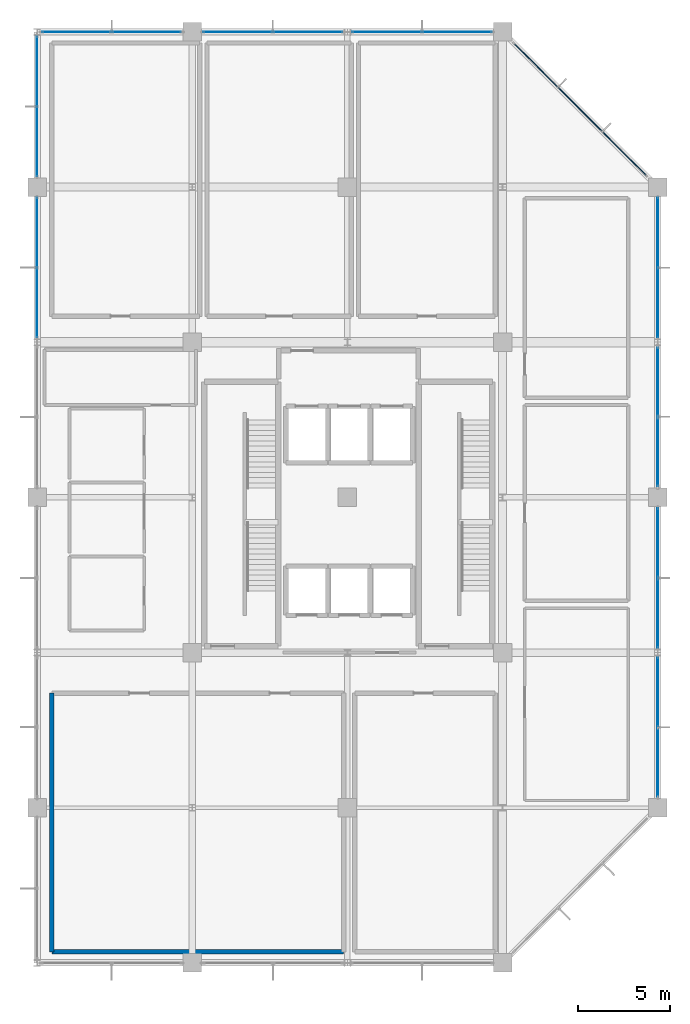
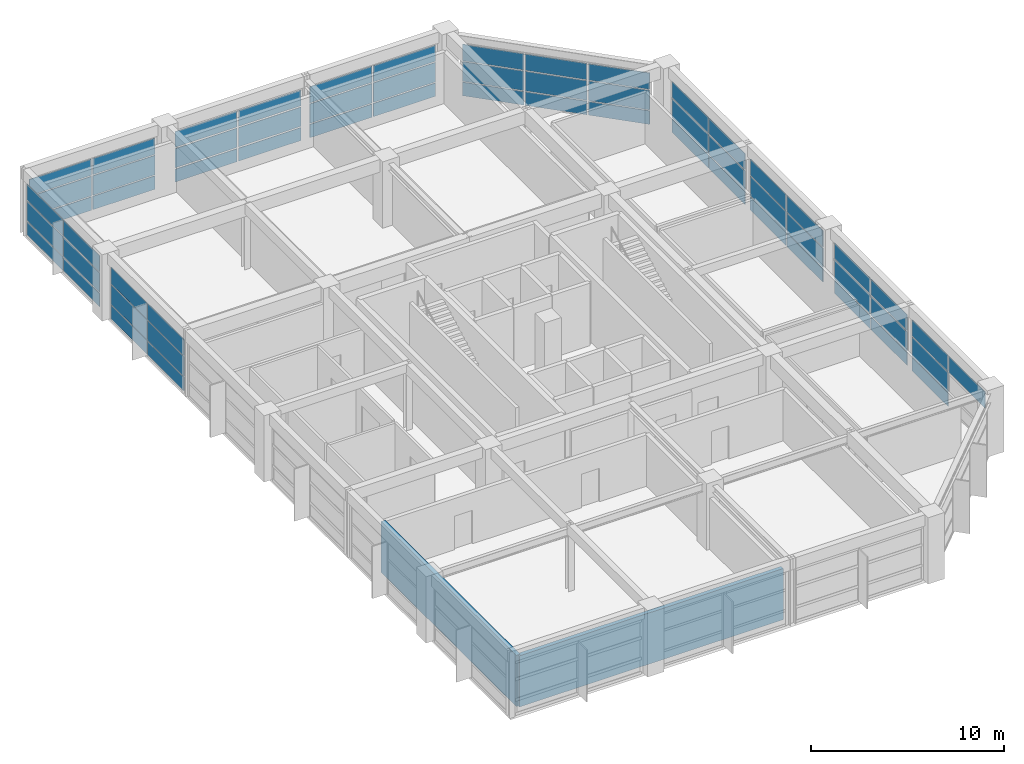
# One storey, part 12 of 16: 61 plates, 2 walls, 10 elements without a shape of their own.
"""IFC4 building model written with IfcOpenShell, lengths in metres."""

from ifc_helpers import new_model, si_unit, direction, frame, frame_2d, origin, origin_2d, place, context, subcontext, project, spatial, rectangle, extrude, material, layer, layer_set, type_object, element, aggregate, save


model = new_model("IFC4")

# Units and contexts
model_context = context("Model", 3, precision=1e-05, world=origin(), true_north=direction((0.0, 1.0)))
body_context = subcontext(model_context, "Body", "Model", "MODEL_VIEW")
ifc_project = project(units=[si_unit("LENGTHUNIT", "METRE"), si_unit("AREAUNIT", "SQUARE_METRE"), si_unit("VOLUMEUNIT", "CUBIC_METRE"), si_unit("PLANEANGLEUNIT", "RADIAN"), si_unit("MASSUNIT", "GRAM", prefix="KILO")], contexts=[model_context])

# Site, building, storey
site_placement = place(None, origin())
site = spatial("IfcSite", under=ifc_project, at=site_placement, CompositionType="ELEMENT")
building_placement = place(site_placement, origin())
building = spatial("IfcBuilding", under=site, at=building_placement, Name="Xuanlan Plaza Opera House", CompositionType="ELEMENT")
storey_placement = place(building_placement, frame((0.0, 0.0, 48.89990234375)))
storey = spatial("IfcBuildingStorey", under=building, at=storey_placement, Name="L11", CompositionType="ELEMENT", Elevation=48.89990234375)

# Curtain wall, plates
ifc_material_1 = material(Name="Anodised Aluminium 6063-T6 and Low-E Glass", Category="aluminium")
curtain_wall_type_1 = type_object("IfcCurtainWallType", Name="ENV-CW-CW-03", PredefinedType="USERDEFINED", material=ifc_material_1)
curtain_wall_1_placement = place(storey_placement, origin())
curtain_wall_1 = element("IfcCurtainWall", 1, at=curtain_wall_1_placement, inside=storey, type_object=curtain_wall_type_1, Name="Unitised Curtain Wall L11-006", ObjectType="UNITISED CURTAIN WALL", PredefinedType="USERDEFINED")
ifc_material_2 = material(Name="Laminated Acoustic Double Glazing", Category="glass")
ifc_layer_1 = layer(ifc_material_2, 0.028076171875)
ifc_layer_set_1 = layer_set([ifc_layer_1], Name="Laminated Acoustic Double Glazing")
plate_type_1 = type_object("IfcPlateType", Name="ENV-CWP-01", PredefinedType="CURTAIN_PANEL", material=ifc_layer_set_1)
plate_1_placement = place(storey_placement, frame((159.60009765625, 52.5361328125, 0.090087890625), z_axis=(0.0, 0.0, 1.0), x_axis=(0.0, 1.0, 0.0)))
plate_1 = element("IfcPlate", 2, at=plate_1_placement, type_object=plate_type_1, Name="CW-03 panel 1.1", PredefinedType="CURTAIN_PANEL", context=body_context, shape_type="SweptSolid", body=[
    extrude(rectangle(XDim=3.722412109375, YDim=0.028076171875, at=origin_2d()), origin(), (0.0, 0.0, 1.0), 0.81494140625),
])
plate_2_placement = place(storey_placement, frame((159.60009765625, 52.5361328125, 0.9951171875), z_axis=(0.0, 0.0, 1.0), x_axis=(0.0, 1.0, 0.0)))
plate_2 = element("IfcPlate", 3, at=plate_2_placement, type_object=plate_type_1, Name="CW-03 panel 1.2", PredefinedType="CURTAIN_PANEL", context=body_context, shape_type="SweptSolid", body=[
    extrude(rectangle(XDim=3.722412109375, YDim=0.028076171875, at=origin_2d()), origin(), (0.0, 0.0, 1.0), 1.2099609375),
])
plate_3_placement = place(storey_placement, frame((159.60009765625, 52.5361328125, 2.294921875), z_axis=(0.0, 0.0, 1.0), x_axis=(0.0, 1.0, 0.0)))
plate_3 = element("IfcPlate", 4, at=plate_3_placement, type_object=plate_type_1, Name="CW-03 panel 1.3", PredefinedType="CURTAIN_PANEL", context=body_context, shape_type="SweptSolid", body=[
    extrude(rectangle(XDim=3.722412109375, YDim=0.028076171875, at=origin_2d()), origin(), (0.0, 0.0, 1.0), 0.9951171875),
])
plate_4_placement = place(storey_placement, frame((159.60009765625, 56.3388671875, 0.090087890625), z_axis=(0.0, 0.0, 1.0), x_axis=(0.0, 1.0, 0.0)))
plate_4 = element("IfcPlate", 5, at=plate_4_placement, type_object=plate_type_1, Name="CW-03 panel 2.1", PredefinedType="CURTAIN_PANEL", context=body_context, shape_type="SweptSolid", body=[
    extrude(rectangle(XDim=3.722412109375, YDim=0.028076171875, at=origin_2d()), origin(), (0.0, 0.0, 1.0), 0.81494140625),
])
plate_5_placement = place(storey_placement, frame((159.60009765625, 56.3388671875, 0.9951171875), z_axis=(0.0, 0.0, 1.0), x_axis=(0.0, 1.0, 0.0)))
plate_5 = element("IfcPlate", 6, at=plate_5_placement, type_object=plate_type_1, Name="CW-03 panel 2.2", PredefinedType="CURTAIN_PANEL", context=body_context, shape_type="SweptSolid", body=[
    extrude(rectangle(XDim=3.722412109375, YDim=0.028076171875, at=origin_2d()), origin(), (0.0, 0.0, 1.0), 1.2099609375),
])
plate_6_placement = place(storey_placement, frame((159.60009765625, 56.3388671875, 2.294921875), z_axis=(0.0, 0.0, 1.0), x_axis=(0.0, 1.0, 0.0)))
plate_6 = element("IfcPlate", 7, at=plate_6_placement, type_object=plate_type_1, Name="CW-03 panel 2.3", PredefinedType="CURTAIN_PANEL", context=body_context, shape_type="SweptSolid", body=[
    extrude(rectangle(XDim=3.722412109375, YDim=0.028076171875, at=origin_2d()), origin(), (0.0, 0.0, 1.0), 0.9951171875),
])
aggregate(curtain_wall_1, [plate_1, plate_2, plate_3, plate_4, plate_5, plate_6])

curtain_wall_type_2 = type_object("IfcCurtainWallType", Name="ENV-CW-CW-04", PredefinedType="USERDEFINED", material=ifc_material_1)
curtain_wall_2_placement = place(storey_placement, origin())
curtain_wall_2 = element("IfcCurtainWall", 8, at=curtain_wall_2_placement, inside=storey, type_object=curtain_wall_type_2, Name="Unitised Curtain Wall L11-011", ObjectType="UNITISED CURTAIN WALL", PredefinedType="USERDEFINED")
plate_7_placement = place(storey_placement, frame((140.663818359375, 84.0, 0.090087890625), z_axis=(0.0, 0.0, 1.0), x_axis=(-1.0, 0.0, 0.0)))
plate_7 = element("IfcPlate", 9, at=plate_7_placement, type_object=plate_type_1, Name="CW-04 panel 1.1", PredefinedType="CURTAIN_PANEL", context=body_context, shape_type="SweptSolid", body=[
    extrude(rectangle(XDim=3.722412109375, YDim=0.028076171875, at=origin_2d()), origin(), (0.0, 0.0, 1.0), 0.81494140625),
])
plate_8_placement = place(storey_placement, frame((140.663818359375, 84.0, 0.9951171875), z_axis=(0.0, 0.0, 1.0), x_axis=(-1.0, 0.0, 0.0)))
plate_8 = element("IfcPlate", 10, at=plate_8_placement, type_object=plate_type_1, Name="CW-04 panel 1.2", PredefinedType="CURTAIN_PANEL", context=body_context, shape_type="SweptSolid", body=[
    extrude(rectangle(XDim=3.722412109375, YDim=0.028076171875, at=origin_2d()), origin(), (0.0, 0.0, 1.0), 1.2099609375),
])
plate_9_placement = place(storey_placement, frame((140.663818359375, 84.0, 2.294921875), z_axis=(0.0, 0.0, 1.0), x_axis=(-1.0, 0.0, 0.0)))
plate_9 = element("IfcPlate", 11, at=plate_9_placement, type_object=plate_type_1, Name="CW-04 panel 1.3", PredefinedType="CURTAIN_PANEL", context=body_context, shape_type="SweptSolid", body=[
    extrude(rectangle(XDim=3.722412109375, YDim=0.028076171875, at=origin_2d()), origin(), (0.0, 0.0, 1.0), 0.9951171875),
])
plate_10_placement = place(storey_placement, frame((136.861328125, 84.0, 0.090087890625), z_axis=(0.0, 0.0, 1.0), x_axis=(-1.0, 0.0, 0.0)))
plate_10 = element("IfcPlate", 12, at=plate_10_placement, type_object=plate_type_1, Name="CW-04 panel 2.1", PredefinedType="CURTAIN_PANEL", context=body_context, shape_type="SweptSolid", body=[
    extrude(rectangle(XDim=3.722412109375, YDim=0.028076171875, at=origin_2d()), origin(), (0.0, 0.0, 1.0), 0.81494140625),
])
plate_11_placement = place(storey_placement, frame((136.861328125, 84.0, 0.9951171875), z_axis=(0.0, 0.0, 1.0), x_axis=(-1.0, 0.0, 0.0)))
plate_11 = element("IfcPlate", 13, at=plate_11_placement, type_object=plate_type_1, Name="CW-04 panel 2.2", PredefinedType="CURTAIN_PANEL", context=body_context, shape_type="SweptSolid", body=[
    extrude(rectangle(XDim=3.722412109375, YDim=0.028076171875, at=origin_2d()), origin(), (0.0, 0.0, 1.0), 1.2099609375),
])
plate_12_placement = place(storey_placement, frame((136.861328125, 84.0, 2.294921875), z_axis=(0.0, 0.0, 1.0), x_axis=(-1.0, 0.0, 0.0)))
plate_12 = element("IfcPlate", 14, at=plate_12_placement, type_object=plate_type_1, Name="CW-04 panel 2.3", PredefinedType="CURTAIN_PANEL", context=body_context, shape_type="SweptSolid", body=[
    extrude(rectangle(XDim=3.722412109375, YDim=0.028076171875, at=origin_2d()), origin(), (0.0, 0.0, 1.0), 0.9951171875),
])
aggregate(curtain_wall_2, [plate_7, plate_8, plate_9, plate_10, plate_11, plate_12])

curtain_wall_type_3 = type_object("IfcCurtainWallType", Name="ENV-CW-CW-01", PredefinedType="USERDEFINED", material=ifc_material_1)
curtain_wall_3_placement = place(storey_placement, origin())
curtain_wall_3 = element("IfcCurtainWall", 15, at=curtain_wall_3_placement, inside=storey, type_object=curtain_wall_type_3, Name="Unitised Curtain Wall L11-008", ObjectType="UNITISED CURTAIN WALL", PredefinedType="USERDEFINED")
ifc_layer_2 = layer(ifc_material_2, 0.031982421875)
ifc_layer_set_2 = layer_set([ifc_layer_2], Name="Laminated Acoustic Double Glazing")
plate_type_2 = type_object("IfcPlateType", Name="ENV-CWP-02", PredefinedType="CURTAIN_PANEL", material=ifc_layer_set_2)
plate_13_placement = place(storey_placement, frame((159.60009765625, 69.33251953125, 0.080078125), z_axis=(0.0, 0.0, 1.0), x_axis=(0.0, 1.0, 0.0)))
plate_13 = element("IfcPlate", 16, at=plate_13_placement, type_object=plate_type_2, Name="CW-01 panel 1.1", PredefinedType="CURTAIN_PANEL", context=body_context, shape_type="SweptSolid", body=[
    extrude(rectangle(XDim=3.7451171875, YDim=0.031982421875, at=origin_2d()), origin(), (0.0, 0.0, 1.0), 0.830078125),
])
plate_14_placement = place(storey_placement, frame((159.60009765625, 69.33251953125, 0.990234375), z_axis=(0.0, 0.0, 1.0), x_axis=(0.0, 1.0, 0.0)))
plate_14 = element("IfcPlate", 17, at=plate_14_placement, type_object=plate_type_2, Name="CW-01 panel 1.2", PredefinedType="CURTAIN_PANEL", context=body_context, shape_type="SweptSolid", body=[
    extrude(rectangle(XDim=3.7451171875, YDim=0.031982421875, at=origin_2d()), origin(), (0.0, 0.0, 1.0), 1.219970703125),
])
plate_15_placement = place(storey_placement, frame((159.60009765625, 69.33251953125, 2.2900390625), z_axis=(0.0, 0.0, 1.0), x_axis=(0.0, 1.0, 0.0)))
plate_15 = element("IfcPlate", 18, at=plate_15_placement, type_object=plate_type_2, Name="CW-01 panel 1.3", PredefinedType="CURTAIN_PANEL", context=body_context, shape_type="SweptSolid", body=[
    extrude(rectangle(XDim=3.7451171875, YDim=0.031982421875, at=origin_2d()), origin(), (0.0, 0.0, 1.0), 1.010009765625),
])
plate_16_placement = place(storey_placement, frame((159.60009765625, 73.142578125, 0.080078125), z_axis=(0.0, 0.0, 1.0), x_axis=(0.0, 1.0, 0.0)))
plate_16 = element("IfcPlate", 19, at=plate_16_placement, type_object=plate_type_2, Name="CW-01 panel 2.1", PredefinedType="CURTAIN_PANEL", context=body_context, shape_type="SweptSolid", body=[
    extrude(rectangle(XDim=3.7451171875, YDim=0.031982421875, at=origin_2d()), origin(), (0.0, 0.0, 1.0), 0.830078125),
])
plate_17_placement = place(storey_placement, frame((159.60009765625, 73.142578125, 0.990234375), z_axis=(0.0, 0.0, 1.0), x_axis=(0.0, 1.0, 0.0)))
plate_17 = element("IfcPlate", 20, at=plate_17_placement, type_object=plate_type_2, Name="CW-01 panel 2.2", PredefinedType="CURTAIN_PANEL", context=body_context, shape_type="SweptSolid", body=[
    extrude(rectangle(XDim=3.7451171875, YDim=0.031982421875, at=origin_2d()), origin(), (0.0, 0.0, 1.0), 1.219970703125),
])
plate_18_placement = place(storey_placement, frame((159.60009765625, 73.142578125, 2.2900390625), z_axis=(0.0, 0.0, 1.0), x_axis=(0.0, 1.0, 0.0)))
plate_18 = element("IfcPlate", 21, at=plate_18_placement, type_object=plate_type_2, Name="CW-01 panel 2.3", PredefinedType="CURTAIN_PANEL", context=body_context, shape_type="SweptSolid", body=[
    extrude(rectangle(XDim=3.7451171875, YDim=0.031982421875, at=origin_2d()), origin(), (0.0, 0.0, 1.0), 1.010009765625),
])
aggregate(curtain_wall_3, [plate_13, plate_14, plate_15, plate_16, plate_17, plate_18])

curtain_wall_type_4 = type_object("IfcCurtainWallType", Name="ENV-CW-CW-02", PredefinedType="USERDEFINED", material=ifc_material_1)
curtain_wall_4_placement = place(storey_placement, origin())
curtain_wall_4 = element("IfcCurtainWall", 22, at=curtain_wall_4_placement, inside=storey, type_object=curtain_wall_type_4, Name="Unitised Curtain Wall L11-013", ObjectType="UNITISED CURTAIN WALL", PredefinedType="USERDEFINED")
plate_19_placement = place(storey_placement, frame((126.0, 81.867431640625, 0.080078125), z_axis=(0.0, 0.0, 1.0), x_axis=(0.0, -1.0, 0.0)))
plate_19 = element("IfcPlate", 23, at=plate_19_placement, type_object=plate_type_2, Name="CW-02 panel 1.1", PredefinedType="CURTAIN_PANEL", context=body_context, shape_type="SweptSolid", body=[
    extrude(rectangle(XDim=3.7451171875, YDim=0.031982421875, at=origin_2d()), origin(), (0.0, 0.0, 1.0), 0.830078125),
])
plate_20_placement = place(storey_placement, frame((126.0, 81.867431640625, 0.990234375), z_axis=(0.0, 0.0, 1.0), x_axis=(0.0, -1.0, 0.0)))
plate_20 = element("IfcPlate", 24, at=plate_20_placement, type_object=plate_type_2, Name="CW-02 panel 1.2", PredefinedType="CURTAIN_PANEL", context=body_context, shape_type="SweptSolid", body=[
    extrude(rectangle(XDim=3.7451171875, YDim=0.031982421875, at=origin_2d()), origin(), (0.0, 0.0, 1.0), 1.219970703125),
])
plate_21_placement = place(storey_placement, frame((126.0, 81.867431640625, 2.2900390625), z_axis=(0.0, 0.0, 1.0), x_axis=(0.0, -1.0, 0.0)))
plate_21 = element("IfcPlate", 25, at=plate_21_placement, type_object=plate_type_2, Name="CW-02 panel 1.3", PredefinedType="CURTAIN_PANEL", context=body_context, shape_type="SweptSolid", body=[
    extrude(rectangle(XDim=3.7451171875, YDim=0.031982421875, at=origin_2d()), origin(), (0.0, 0.0, 1.0), 1.010009765625),
])
plate_22_placement = place(storey_placement, frame((126.0, 78.0576171875, 0.080078125), z_axis=(0.0, 0.0, 1.0), x_axis=(0.0, -1.0, 0.0)))
plate_22 = element("IfcPlate", 26, at=plate_22_placement, type_object=plate_type_2, Name="CW-02 panel 2.1", PredefinedType="CURTAIN_PANEL", context=body_context, shape_type="SweptSolid", body=[
    extrude(rectangle(XDim=3.7451171875, YDim=0.031982421875, at=origin_2d()), origin(), (0.0, 0.0, 1.0), 0.830078125),
])
plate_23_placement = place(storey_placement, frame((126.0, 78.0576171875, 0.990234375), z_axis=(0.0, 0.0, 1.0), x_axis=(0.0, -1.0, 0.0)))
plate_23 = element("IfcPlate", 27, at=plate_23_placement, type_object=plate_type_2, Name="CW-02 panel 2.2", PredefinedType="CURTAIN_PANEL", context=body_context, shape_type="SweptSolid", body=[
    extrude(rectangle(XDim=3.7451171875, YDim=0.031982421875, at=origin_2d()), origin(), (0.0, 0.0, 1.0), 1.219970703125),
])
plate_24_placement = place(storey_placement, frame((126.0, 78.0576171875, 2.2900390625), z_axis=(0.0, 0.0, 1.0), x_axis=(0.0, -1.0, 0.0)))
plate_24 = element("IfcPlate", 28, at=plate_24_placement, type_object=plate_type_2, Name="CW-02 panel 2.3", PredefinedType="CURTAIN_PANEL", context=body_context, shape_type="SweptSolid", body=[
    extrude(rectangle(XDim=3.7451171875, YDim=0.031982421875, at=origin_2d()), origin(), (0.0, 0.0, 1.0), 1.010009765625),
])
aggregate(curtain_wall_4, [plate_19, plate_20, plate_21, plate_22, plate_23, plate_24])

curtain_wall_5_placement = place(storey_placement, origin())
curtain_wall_5 = element("IfcCurtainWall", 29, at=curtain_wall_5_placement, inside=storey, type_object=curtain_wall_type_4, Name="Unitised Curtain Wall L11-005", ObjectType="UNITISED CURTAIN WALL", PredefinedType="USERDEFINED")
ifc_layer_3 = layer(ifc_material_2, 0.035888671875)
ifc_layer_set_3 = layer_set([ifc_layer_3], Name="Laminated Acoustic Double Glazing")
plate_type_3 = type_object("IfcPlateType", Name="ENV-CWP-03", PredefinedType="CURTAIN_PANEL", material=ifc_layer_set_3)
plate_25_placement = place(storey_placement, frame((159.60009765625, 44.4599609375, 2.28759765625), z_axis=(0.0, 0.0, 1.0), x_axis=(0.0, 1.0, 0.0)))
plate_25 = element("IfcPlate", 30, at=plate_25_placement, type_object=plate_type_3, Name="CW-02 panel 1.3", PredefinedType="CURTAIN_PANEL", context=body_context, shape_type="SweptSolid", body=[
    extrude(rectangle(XDim=3.72998046875, YDim=0.035888671875, at=origin_2d()), origin(), (0.0, 0.0, 1.0), 1.017578125),
])
plate_26_placement = place(storey_placement, frame((159.60009765625, 48.264892578125, 0.0751953125), z_axis=(0.0, 0.0, 1.0), x_axis=(0.0, 1.0, 0.0)))
plate_26 = element("IfcPlate", 31, at=plate_26_placement, type_object=plate_type_3, Name="CW-02 panel 2.1", PredefinedType="CURTAIN_PANEL", context=body_context, shape_type="SweptSolid", body=[
    extrude(rectangle(XDim=3.72998046875, YDim=0.035888671875, at=origin_2d()), origin(), (0.0, 0.0, 1.0), 0.83740234375),
])
plate_27_placement = place(storey_placement, frame((159.60009765625, 48.264892578125, 0.987548828125), z_axis=(0.0, 0.0, 1.0), x_axis=(0.0, 1.0, 0.0)))
plate_27 = element("IfcPlate", 32, at=plate_27_placement, type_object=plate_type_3, Name="CW-02 panel 2.2", PredefinedType="CURTAIN_PANEL", context=body_context, shape_type="SweptSolid", body=[
    extrude(rectangle(XDim=3.72998046875, YDim=0.035888671875, at=origin_2d()), origin(), (0.0, 0.0, 1.0), 1.22509765625),
])
plate_28_placement = place(storey_placement, frame((159.60009765625, 48.264892578125, 2.28759765625), z_axis=(0.0, 0.0, 1.0), x_axis=(0.0, 1.0, 0.0)))
plate_28 = element("IfcPlate", 33, at=plate_28_placement, type_object=plate_type_3, Name="CW-02 panel 2.3", PredefinedType="CURTAIN_PANEL", context=body_context, shape_type="SweptSolid", body=[
    extrude(rectangle(XDim=3.72998046875, YDim=0.035888671875, at=origin_2d()), origin(), (0.0, 0.0, 1.0), 1.017578125),
])
aggregate(curtain_wall_5, [plate_25, plate_26, plate_27, plate_28])

curtain_wall_6_placement = place(storey_placement, origin())
curtain_wall_6 = element("IfcCurtainWall", 34, at=curtain_wall_6_placement, inside=storey, type_object=curtain_wall_type_1, Name="Unitised Curtain Wall L11-010", ObjectType="UNITISED CURTAIN WALL", PredefinedType="USERDEFINED")
plate_29_placement = place(storey_placement, frame((148.739990234375, 84.0, 0.0751953125), z_axis=(0.0, 0.0, 1.0), x_axis=(-1.0, 0.0, 0.0)))
plate_29 = element("IfcPlate", 35, at=plate_29_placement, type_object=plate_type_3, Name="CW-03 panel 1.1", PredefinedType="CURTAIN_PANEL", context=body_context, shape_type="SweptSolid", body=[
    extrude(rectangle(XDim=3.72998046875, YDim=0.035888671875, at=origin_2d()), origin(), (0.0, 0.0, 1.0), 0.83740234375),
])
plate_30_placement = place(storey_placement, frame((148.739990234375, 84.0, 0.987548828125), z_axis=(0.0, 0.0, 1.0), x_axis=(-1.0, 0.0, 0.0)))
plate_30 = element("IfcPlate", 36, at=plate_30_placement, type_object=plate_type_3, Name="CW-03 panel 1.2", PredefinedType="CURTAIN_PANEL", context=body_context, shape_type="SweptSolid", body=[
    extrude(rectangle(XDim=3.72998046875, YDim=0.035888671875, at=origin_2d()), origin(), (0.0, 0.0, 1.0), 1.22509765625),
])
plate_31_placement = place(storey_placement, frame((148.739990234375, 84.0, 2.28759765625), z_axis=(0.0, 0.0, 1.0), x_axis=(-1.0, 0.0, 0.0)))
plate_31 = element("IfcPlate", 37, at=plate_31_placement, type_object=plate_type_3, Name="CW-03 panel 1.3", PredefinedType="CURTAIN_PANEL", context=body_context, shape_type="SweptSolid", body=[
    extrude(rectangle(XDim=3.72998046875, YDim=0.035888671875, at=origin_2d()), origin(), (0.0, 0.0, 1.0), 1.017578125),
])
plate_32_placement = place(storey_placement, frame((144.93505859375, 84.0, 0.0751953125), z_axis=(0.0, 0.0, 1.0), x_axis=(-1.0, 0.0, 0.0)))
plate_32 = element("IfcPlate", 38, at=plate_32_placement, type_object=plate_type_3, Name="CW-03 panel 2.1", PredefinedType="CURTAIN_PANEL", context=body_context, shape_type="SweptSolid", body=[
    extrude(rectangle(XDim=3.72998046875, YDim=0.035888671875, at=origin_2d()), origin(), (0.0, 0.0, 1.0), 0.83740234375),
])
plate_33_placement = place(storey_placement, frame((144.93505859375, 84.0, 0.987548828125), z_axis=(0.0, 0.0, 1.0), x_axis=(-1.0, 0.0, 0.0)))
plate_33 = element("IfcPlate", 39, at=plate_33_placement, type_object=plate_type_3, Name="CW-03 panel 2.2", PredefinedType="CURTAIN_PANEL", context=body_context, shape_type="SweptSolid", body=[
    extrude(rectangle(XDim=3.72998046875, YDim=0.035888671875, at=origin_2d()), origin(), (0.0, 0.0, 1.0), 1.22509765625),
])
plate_34_placement = place(storey_placement, frame((144.93505859375, 84.0, 2.28759765625), z_axis=(0.0, 0.0, 1.0), x_axis=(-1.0, 0.0, 0.0)))
plate_34 = element("IfcPlate", 40, at=plate_34_placement, type_object=plate_type_3, Name="CW-03 panel 2.3", PredefinedType="CURTAIN_PANEL", context=body_context, shape_type="SweptSolid", body=[
    extrude(rectangle(XDim=3.72998046875, YDim=0.035888671875, at=origin_2d()), origin(), (0.0, 0.0, 1.0), 1.017578125),
])
aggregate(curtain_wall_6, [plate_29, plate_30, plate_31, plate_32, plate_33, plate_34])

curtain_wall_7_placement = place(storey_placement, origin())
curtain_wall_7 = element("IfcCurtainWall", 41, at=curtain_wall_7_placement, inside=storey, type_object=curtain_wall_type_2, Name="Unitised Curtain Wall L11-007", ObjectType="UNITISED CURTAIN WALL", PredefinedType="USERDEFINED")
ifc_layer_4 = layer(ifc_material_2, 0.0400390625)
ifc_layer_set_4 = layer_set([ifc_layer_4], Name="Laminated Acoustic Double Glazing")
plate_type_4 = type_object("IfcPlateType", Name="ENV-CWP-04", PredefinedType="CURTAIN_PANEL", material=ifc_layer_set_4)
plate_35_placement = place(storey_placement, frame((159.60009765625, 61.263671875, 0.0703125), z_axis=(0.0, 0.0, 1.0), x_axis=(0.0, 1.0, 0.0)))
plate_35 = element("IfcPlate", 42, at=plate_35_placement, type_object=plate_type_4, Name="CW-04 panel 1.1", PredefinedType="CURTAIN_PANEL", context=body_context, shape_type="SweptSolid", body=[
    extrude(rectangle(XDim=3.70751953125, YDim=0.0400390625, at=origin_2d()), origin(), (0.0, 0.0, 1.0), 0.844970703125),
])
plate_36_placement = place(storey_placement, frame((159.60009765625, 61.263671875, 0.985107421875), z_axis=(0.0, 0.0, 1.0), x_axis=(0.0, 1.0, 0.0)))
plate_36 = element("IfcPlate", 43, at=plate_36_placement, type_object=plate_type_4, Name="CW-04 panel 1.2", PredefinedType="CURTAIN_PANEL", context=body_context, shape_type="SweptSolid", body=[
    extrude(rectangle(XDim=3.70751953125, YDim=0.0400390625, at=origin_2d()), origin(), (0.0, 0.0, 1.0), 1.22998046875),
])
plate_37_placement = place(storey_placement, frame((159.60009765625, 61.263671875, 2.28515625), z_axis=(0.0, 0.0, 1.0), x_axis=(0.0, 1.0, 0.0)))
plate_37 = element("IfcPlate", 44, at=plate_37_placement, type_object=plate_type_4, Name="CW-04 panel 1.3", PredefinedType="CURTAIN_PANEL", context=body_context, shape_type="SweptSolid", body=[
    extrude(rectangle(XDim=3.70751953125, YDim=0.0400390625, at=origin_2d()), origin(), (0.0, 0.0, 1.0), 1.02490234375),
])
plate_38_placement = place(storey_placement, frame((159.60009765625, 65.061279296875, 0.0703125), z_axis=(0.0, 0.0, 1.0), x_axis=(0.0, 1.0, 0.0)))
plate_38 = element("IfcPlate", 45, at=plate_38_placement, type_object=plate_type_4, Name="CW-04 panel 2.1", PredefinedType="CURTAIN_PANEL", context=body_context, shape_type="SweptSolid", body=[
    extrude(rectangle(XDim=3.70751953125, YDim=0.0400390625, at=origin_2d()), origin(), (0.0, 0.0, 1.0), 0.844970703125),
])
plate_39_placement = place(storey_placement, frame((159.60009765625, 65.061279296875, 0.985107421875), z_axis=(0.0, 0.0, 1.0), x_axis=(0.0, 1.0, 0.0)))
plate_39 = element("IfcPlate", 46, at=plate_39_placement, type_object=plate_type_4, Name="CW-04 panel 2.2", PredefinedType="CURTAIN_PANEL", context=body_context, shape_type="SweptSolid", body=[
    extrude(rectangle(XDim=3.70751953125, YDim=0.0400390625, at=origin_2d()), origin(), (0.0, 0.0, 1.0), 1.22998046875),
])
plate_40_placement = place(storey_placement, frame((159.60009765625, 65.061279296875, 2.28515625), z_axis=(0.0, 0.0, 1.0), x_axis=(0.0, 1.0, 0.0)))
plate_40 = element("IfcPlate", 47, at=plate_40_placement, type_object=plate_type_4, Name="CW-04 panel 2.3", PredefinedType="CURTAIN_PANEL", context=body_context, shape_type="SweptSolid", body=[
    extrude(rectangle(XDim=3.70751953125, YDim=0.0400390625, at=origin_2d()), origin(), (0.0, 0.0, 1.0), 1.02490234375),
])
aggregate(curtain_wall_7, [plate_35, plate_36, plate_37, plate_38, plate_39, plate_40])

curtain_wall_8_placement = place(storey_placement, origin())
curtain_wall_8 = element("IfcCurtainWall", 48, at=curtain_wall_8_placement, inside=storey, type_object=curtain_wall_type_3, Name="Unitised Curtain Wall L11-012", ObjectType="UNITISED CURTAIN WALL", PredefinedType="USERDEFINED")
plate_41_placement = place(storey_placement, frame((131.936279296875, 84.0, 0.0703125), z_axis=(0.0, 0.0, 1.0), x_axis=(-1.0, 0.0, 0.0)))
plate_41 = element("IfcPlate", 49, at=plate_41_placement, type_object=plate_type_4, Name="CW-01 panel 1.1", PredefinedType="CURTAIN_PANEL", context=body_context, shape_type="SweptSolid", body=[
    extrude(rectangle(XDim=3.70751953125, YDim=0.0400390625, at=origin_2d()), origin(), (0.0, 0.0, 1.0), 0.844970703125),
])
plate_42_placement = place(storey_placement, frame((131.936279296875, 84.0, 0.985107421875), z_axis=(0.0, 0.0, 1.0), x_axis=(-1.0, 0.0, 0.0)))
plate_42 = element("IfcPlate", 50, at=plate_42_placement, type_object=plate_type_4, Name="CW-01 panel 1.2", PredefinedType="CURTAIN_PANEL", context=body_context, shape_type="SweptSolid", body=[
    extrude(rectangle(XDim=3.70751953125, YDim=0.0400390625, at=origin_2d()), origin(), (0.0, 0.0, 1.0), 1.22998046875),
])
plate_43_placement = place(storey_placement, frame((131.936279296875, 84.0, 2.28515625), z_axis=(0.0, 0.0, 1.0), x_axis=(-1.0, 0.0, 0.0)))
plate_43 = element("IfcPlate", 51, at=plate_43_placement, type_object=plate_type_4, Name="CW-01 panel 1.3", PredefinedType="CURTAIN_PANEL", context=body_context, shape_type="SweptSolid", body=[
    extrude(rectangle(XDim=3.70751953125, YDim=0.0400390625, at=origin_2d()), origin(), (0.0, 0.0, 1.0), 1.02490234375),
])
plate_44_placement = place(storey_placement, frame((128.138671875, 84.0, 0.0703125), z_axis=(0.0, 0.0, 1.0), x_axis=(-1.0, 0.0, 0.0)))
plate_44 = element("IfcPlate", 52, at=plate_44_placement, type_object=plate_type_4, Name="CW-01 panel 2.1", PredefinedType="CURTAIN_PANEL", context=body_context, shape_type="SweptSolid", body=[
    extrude(rectangle(XDim=3.70751953125, YDim=0.0400390625, at=origin_2d()), origin(), (0.0, 0.0, 1.0), 0.844970703125),
])
plate_45_placement = place(storey_placement, frame((128.138671875, 84.0, 0.985107421875), z_axis=(0.0, 0.0, 1.0), x_axis=(-1.0, 0.0, 0.0)))
plate_45 = element("IfcPlate", 53, at=plate_45_placement, type_object=plate_type_4, Name="CW-01 panel 2.2", PredefinedType="CURTAIN_PANEL", context=body_context, shape_type="SweptSolid", body=[
    extrude(rectangle(XDim=3.70751953125, YDim=0.0400390625, at=origin_2d()), origin(), (0.0, 0.0, 1.0), 1.22998046875),
])
plate_46_placement = place(storey_placement, frame((128.138671875, 84.0, 2.28515625), z_axis=(0.0, 0.0, 1.0), x_axis=(-1.0, 0.0, 0.0)))
plate_46 = element("IfcPlate", 54, at=plate_46_placement, type_object=plate_type_4, Name="CW-01 panel 2.3", PredefinedType="CURTAIN_PANEL", context=body_context, shape_type="SweptSolid", body=[
    extrude(rectangle(XDim=3.70751953125, YDim=0.0400390625, at=origin_2d()), origin(), (0.0, 0.0, 1.0), 1.02490234375),
])
aggregate(curtain_wall_8, [plate_41, plate_42, plate_43, plate_44, plate_45, plate_46])

curtain_wall_9_placement = place(storey_placement, origin())
curtain_wall_9 = element("IfcCurtainWall", 55, at=curtain_wall_9_placement, inside=storey, type_object=curtain_wall_type_4, Name="Unitised Curtain Wall L11-009", ObjectType="UNITISED CURTAIN WALL", PredefinedType="USERDEFINED")
ifc_layer_5 = layer(ifc_material_2, 0.0439453125)
ifc_layer_set_5 = layer_set([ifc_layer_5], Name="Laminated Acoustic Double Glazing")
plate_type_5 = type_object("IfcPlateType", Name="ENV-CWP-05", PredefinedType="CURTAIN_PANEL", material=ifc_layer_set_5)
plate_47_placement = place(storey_placement, frame((157.788330078125, 77.41162109375, 0.065185546875), z_axis=(0.0, 0.0, 1.0), x_axis=(-0.707106781187, 0.707106781187, 0.0)))
plate_47 = element("IfcPlate", 56, at=plate_47_placement, type_object=plate_type_5, Name="CW-02 panel 1.1", PredefinedType="CURTAIN_PANEL", context=body_context, shape_type="SweptSolid", body=[
    extrude(rectangle(XDim=3.2900390625, YDim=0.0439453125, at=origin_2d()), origin(), (0.0, 0.0, 1.0), 0.8525390625),
])
plate_48_placement = place(storey_placement, frame((157.788330078125, 77.41162109375, 0.982421875), z_axis=(0.0, 0.0, 1.0), x_axis=(-0.707106781187, 0.707106781187, 0.0)))
plate_48 = element("IfcPlate", 57, at=plate_48_placement, type_object=plate_type_5, Name="CW-02 panel 1.2", PredefinedType="CURTAIN_PANEL", context=body_context, shape_type="SweptSolid", body=[
    extrude(rectangle(XDim=3.2900390625, YDim=0.0439453125, at=origin_2d()), origin(), (0.0, 0.0, 1.0), 1.235107421875),
])
plate_49_placement = place(storey_placement, frame((157.788330078125, 77.41162109375, 2.28271484375), z_axis=(0.0, 0.0, 1.0), x_axis=(-0.707106781187, 0.707106781187, 0.0)))
plate_49 = element("IfcPlate", 58, at=plate_49_placement, type_object=plate_type_5, Name="CW-02 panel 1.3", PredefinedType="CURTAIN_PANEL", context=body_context, shape_type="SweptSolid", body=[
    extrude(rectangle(XDim=3.2900390625, YDim=0.0439453125, at=origin_2d()), origin(), (0.0, 0.0, 1.0), 1.032470703125),
])
plate_50_placement = place(storey_placement, frame((155.39990234375, 79.800048828125, 0.065185546875), z_axis=(0.0, 0.0, 1.0), x_axis=(-0.707106781187, 0.707106781187, 0.0)))
plate_50 = element("IfcPlate", 59, at=plate_50_placement, type_object=plate_type_5, Name="CW-02 panel 2.1", PredefinedType="CURTAIN_PANEL", context=body_context, shape_type="SweptSolid", body=[
    extrude(rectangle(XDim=3.324951171875, YDim=0.0439453125, at=origin_2d()), origin(), (0.0, 0.0, 1.0), 0.8525390625),
])
plate_51_placement = place(storey_placement, frame((155.39990234375, 79.800048828125, 0.982421875), z_axis=(0.0, 0.0, 1.0), x_axis=(-0.707106781187, 0.707106781187, 0.0)))
plate_51 = element("IfcPlate", 60, at=plate_51_placement, type_object=plate_type_5, Name="CW-02 panel 2.2", PredefinedType="CURTAIN_PANEL", context=body_context, shape_type="SweptSolid", body=[
    extrude(rectangle(XDim=3.324951171875, YDim=0.0439453125, at=origin_2d()), origin(), (0.0, 0.0, 1.0), 1.235107421875),
])
plate_52_placement = place(storey_placement, frame((155.39990234375, 79.800048828125, 2.28271484375), z_axis=(0.0, 0.0, 1.0), x_axis=(-0.707106781187, 0.707106781187, 0.0)))
plate_52 = element("IfcPlate", 61, at=plate_52_placement, type_object=plate_type_5, Name="CW-02 panel 2.3", PredefinedType="CURTAIN_PANEL", context=body_context, shape_type="SweptSolid", body=[
    extrude(rectangle(XDim=3.324951171875, YDim=0.0439453125, at=origin_2d()), origin(), (0.0, 0.0, 1.0), 1.032470703125),
])
plate_53_placement = place(storey_placement, frame((153.01171875, 82.188232421875, 0.065185546875), z_axis=(0.0, 0.0, 1.0), x_axis=(-0.707106781187, 0.707106781187, 0.0)))
plate_53 = element("IfcPlate", 62, at=plate_53_placement, type_object=plate_type_5, Name="CW-02 panel 3.1", PredefinedType="CURTAIN_PANEL", context=body_context, shape_type="SweptSolid", body=[
    extrude(rectangle(XDim=3.2900390625, YDim=0.0439453125, at=origin_2d()), origin(), (0.0, 0.0, 1.0), 0.8525390625),
])
plate_54_placement = place(storey_placement, frame((153.01171875, 82.188232421875, 0.982421875), z_axis=(0.0, 0.0, 1.0), x_axis=(-0.707106781187, 0.707106781187, 0.0)))
plate_54 = element("IfcPlate", 63, at=plate_54_placement, type_object=plate_type_5, Name="CW-02 panel 3.2", PredefinedType="CURTAIN_PANEL", context=body_context, shape_type="SweptSolid", body=[
    extrude(rectangle(XDim=3.2900390625, YDim=0.0439453125, at=origin_2d()), origin(), (0.0, 0.0, 1.0), 1.235107421875),
])
plate_55_placement = place(storey_placement, frame((153.01171875, 82.188232421875, 2.28271484375), z_axis=(0.0, 0.0, 1.0), x_axis=(-0.707106781187, 0.707106781187, 0.0)))
plate_55 = element("IfcPlate", 64, at=plate_55_placement, type_object=plate_type_5, Name="CW-02 panel 3.3", PredefinedType="CURTAIN_PANEL", context=body_context, shape_type="SweptSolid", body=[
    extrude(rectangle(XDim=3.2900390625, YDim=0.0439453125, at=origin_2d()), origin(), (0.0, 0.0, 1.0), 1.032470703125),
])
aggregate(curtain_wall_9, [plate_47, plate_48, plate_49, plate_50, plate_51, plate_52, plate_53, plate_54, plate_55])

curtain_wall_10_placement = place(storey_placement, origin())
curtain_wall_10 = element("IfcCurtainWall", 65, at=curtain_wall_10_placement, inside=storey, type_object=curtain_wall_type_1, Name="Unitised Curtain Wall L11-014", ObjectType="UNITISED CURTAIN WALL", PredefinedType="USERDEFINED")
plate_56_placement = place(storey_placement, frame((126.0, 73.141357421875, 0.065185546875), z_axis=(0.0, 0.0, 1.0), x_axis=(0.0, -1.0, 0.0)))
plate_56 = element("IfcPlate", 66, at=plate_56_placement, type_object=plate_type_5, Name="CW-03 panel 1.1", PredefinedType="CURTAIN_PANEL", context=body_context, shape_type="SweptSolid", body=[
    extrude(rectangle(XDim=3.737548828125, YDim=0.0439453125, at=origin_2d()), origin(), (0.0, 0.0, 1.0), 0.8525390625),
])
plate_57_placement = place(storey_placement, frame((126.0, 73.141357421875, 0.982421875), z_axis=(0.0, 0.0, 1.0), x_axis=(0.0, -1.0, 0.0)))
plate_57 = element("IfcPlate", 67, at=plate_57_placement, type_object=plate_type_5, Name="CW-03 panel 1.2", PredefinedType="CURTAIN_PANEL", context=body_context, shape_type="SweptSolid", body=[
    extrude(rectangle(XDim=3.737548828125, YDim=0.0439453125, at=origin_2d()), origin(), (0.0, 0.0, 1.0), 1.235107421875),
])
plate_58_placement = place(storey_placement, frame((126.0, 73.141357421875, 2.28271484375), z_axis=(0.0, 0.0, 1.0), x_axis=(0.0, -1.0, 0.0)))
plate_58 = element("IfcPlate", 68, at=plate_58_placement, type_object=plate_type_5, Name="CW-03 panel 1.3", PredefinedType="CURTAIN_PANEL", context=body_context, shape_type="SweptSolid", body=[
    extrude(rectangle(XDim=3.737548828125, YDim=0.0439453125, at=origin_2d()), origin(), (0.0, 0.0, 1.0), 1.032470703125),
])
plate_59_placement = place(storey_placement, frame((126.0, 69.333740234375, 0.065185546875), z_axis=(0.0, 0.0, 1.0), x_axis=(0.0, -1.0, 0.0)))
plate_59 = element("IfcPlate", 69, at=plate_59_placement, type_object=plate_type_5, Name="CW-03 panel 2.1", PredefinedType="CURTAIN_PANEL", context=body_context, shape_type="SweptSolid", body=[
    extrude(rectangle(XDim=3.737548828125, YDim=0.0439453125, at=origin_2d()), origin(), (0.0, 0.0, 1.0), 0.8525390625),
])
plate_60_placement = place(storey_placement, frame((126.0, 69.333740234375, 0.982421875), z_axis=(0.0, 0.0, 1.0), x_axis=(0.0, -1.0, 0.0)))
plate_60 = element("IfcPlate", 70, at=plate_60_placement, type_object=plate_type_5, Name="CW-03 panel 2.2", PredefinedType="CURTAIN_PANEL", context=body_context, shape_type="SweptSolid", body=[
    extrude(rectangle(XDim=3.737548828125, YDim=0.0439453125, at=origin_2d()), origin(), (0.0, 0.0, 1.0), 1.235107421875),
])
plate_61_placement = place(storey_placement, frame((126.0, 69.333740234375, 2.28271484375), z_axis=(0.0, 0.0, 1.0), x_axis=(0.0, -1.0, 0.0)))
plate_61 = element("IfcPlate", 71, at=plate_61_placement, type_object=plate_type_5, Name="CW-03 panel 2.3", PredefinedType="CURTAIN_PANEL", context=body_context, shape_type="SweptSolid", body=[
    extrude(rectangle(XDim=3.737548828125, YDim=0.0439453125, at=origin_2d()), origin(), (0.0, 0.0, 1.0), 1.032470703125),
])
aggregate(curtain_wall_10, [plate_56, plate_57, plate_58, plate_59, plate_60, plate_61])

# Walls
ifc_material_3 = material(Name="Gypsum Board and Galvanised Steel Studs", Category="gypsum")
ifc_layer_6 = layer(ifc_material_3, 0.239990234375)
ifc_layer_set_6 = layer_set([ifc_layer_6], Name="Gypsum Board and Galvanised Steel Studs")
wall_type = type_object("IfcWallType", Name="INT-WL-PW-01", PredefinedType="PARTITIONING", material=ifc_layer_set_6)
wall_1_placement = place(storey_placement, frame((126.800048828125, 34.199951171875, 0.0), z_axis=(0.0, 0.0, 1.0), x_axis=(1.0, 0.0, 0.0)))
element("IfcWall", 72, at=wall_1_placement, inside=storey, type_object=wall_type, Name="Ensemble Rehearsal Studio Wall South", PredefinedType="PARTITIONING", context=body_context, shape_type="SweptSolid", body=[
    extrude(rectangle(XDim=15.800048828125, YDim=0.239990234375, at=frame_2d((7.89990234375, 0.0))), origin(), (0.0, 0.0, 1.0), 3.239990234375),
])
wall_2_placement = place(storey_placement, frame((126.800048828125, 34.199951171875, 0.0), z_axis=(0.0, 0.0, 1.0), x_axis=(0.0, 1.0, 0.0)))
element("IfcWall", 73, at=wall_2_placement, inside=storey, type_object=wall_type, Name="Ensemble Rehearsal Studio Wall West", PredefinedType="PARTITIONING", context=body_context, shape_type="SweptSolid", body=[
    extrude(rectangle(XDim=14.0, YDim=0.239990234375, at=frame_2d((7.0, 0.0))), origin(), (0.0, 0.0, 1.0), 3.239990234375),
])

save(model, "model.ifc")
